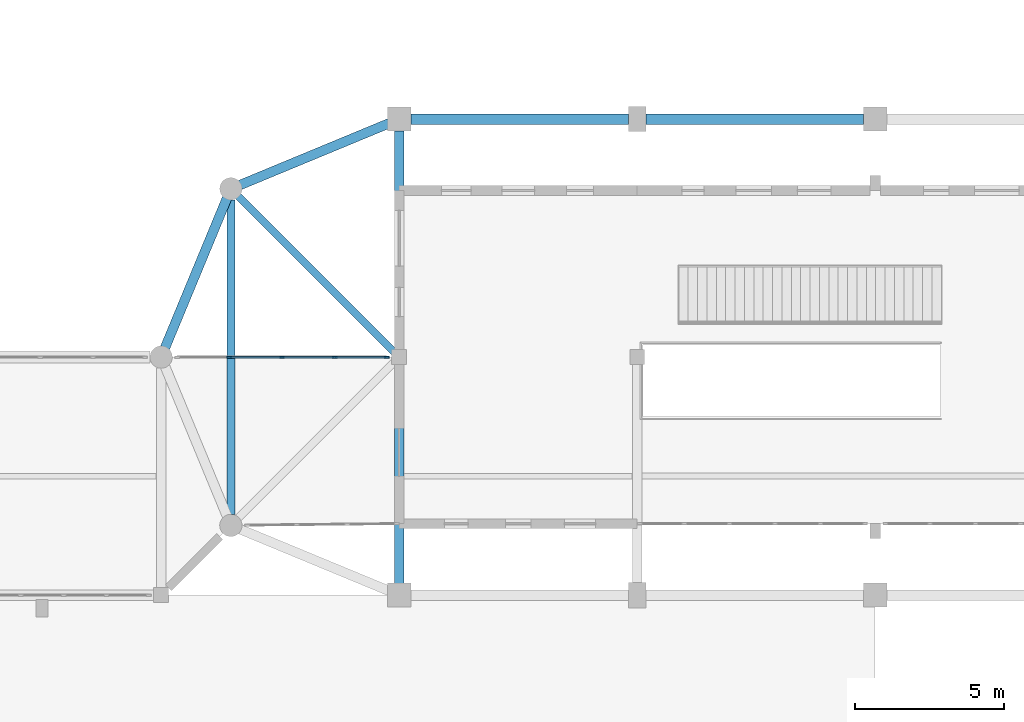
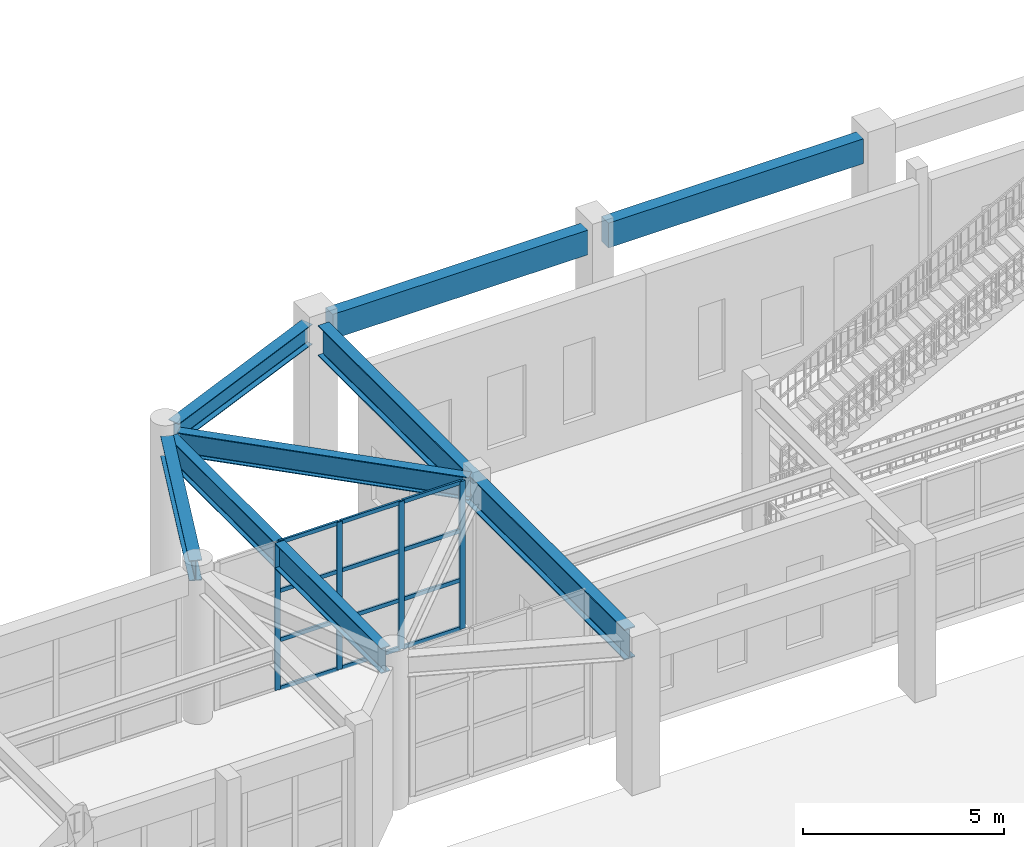
# One storey, part 17 of 59: 16 members, 7 beams, 1 element without a shape of its own.
"""IFC4 building model written with IfcOpenShell, lengths in metres."""

from ifc_helpers import new_model, si_unit, direction, frame, origin, origin_2d, place, context, subcontext, project, spatial, rectangle, i_section, extrude, material, material_profile, profile_set, type_object, element, aggregate, save


model = new_model("IFC4")

# Units and contexts
model_context = context("Model", 3, precision=1e-05, world=origin(), true_north=direction((0.0, 1.0)))
body_context = subcontext(model_context, "Body", "Model", "MODEL_VIEW")
ifc_project = project(units=[si_unit("LENGTHUNIT", "METRE"), si_unit("AREAUNIT", "SQUARE_METRE"), si_unit("VOLUMEUNIT", "CUBIC_METRE"), si_unit("PLANEANGLEUNIT", "RADIAN"), si_unit("MASSUNIT", "GRAM", prefix="KILO")], contexts=[model_context])

# Site, building, storey
site_placement = place(None, origin())
site = spatial("IfcSite", under=ifc_project, at=site_placement, CompositionType="ELEMENT")
building_placement = place(site_placement, origin())
building = spatial("IfcBuilding", under=site, at=building_placement, Name="Serraluz Foothill Cableway Terminal", CompositionType="ELEMENT")
storey_placement = place(building_placement, frame((0.0, 0.0, 4.800048828125)))
storey = spatial("IfcBuildingStorey", under=building, at=storey_placement, Name="L01", CompositionType="ELEMENT", Elevation=4.800048828125)

# Beams
ifc_material_1 = material(Name="Steel ASTM A992 Grade 50", Category="steel")
ifc_material_profile_1 = material_profile(ifc_material_1, i_section(OverallWidth=0.324951171875, OverallDepth=0.615966796875, WebThickness=0.013916015625, FlangeThickness=0.021484375, FilletRadius=0.01806640625, at=origin_2d()), Name="W24X117")
ifc_profile_set_1 = profile_set([ifc_material_profile_1], Name="Steel ASTM A992 Grade 50")
beam_type_1 = type_object("IfcBeamType", Name="TYP-BM-W24X117", PredefinedType="BEAM", material=ifc_profile_set_1)
for number, where, z_axis, x_axis, name in (
    (1, (32.130126953125, 64.314208984375, 4.1669921875), (0.382662116449, 0.923888361565, 0.0), (-0.923888361565, 0.382662116449, 0.0), "Curved End Ring Beam W-L01-3"),
    (2, (34.6572265625, 69.787109375, 4.1669921875), (0.923888361565, 0.382662116449, 0.0), (-0.382662116449, 0.923888361565, 0.0), "Curved End Ring Beam W-L01-4"),
):
    element("IfcBeam", number, at=place(storey_placement, frame(where, z_axis=z_axis, x_axis=x_axis)), inside=storey, type_object=beam_type_1, Name=name, PredefinedType="BEAM", context=body_context, shape_type="SweptSolid", body=[
        extrude(i_section(OverallWidth=0.324951171875, OverallDepth=0.615966796875, WebThickness=0.013916015625, FlangeThickness=0.021484375, FilletRadius=0.01806640625, at=origin_2d()), origin(), (0.0, 0.0, 1.0), 5.44287109375),
    ])
ifc_material_profile_2 = material_profile(ifc_material_1, i_section(OverallWidth=0.256103515625, OverallDepth=0.693115234375, WebThickness=0.014404296875, FlangeThickness=0.023681640625, FilletRadius=0.02001953125, at=origin_2d()), Name="W27X114")
ifc_profile_set_2 = profile_set([ifc_material_profile_2], Name="Steel ASTM A992 Grade 50")
beam_type_2 = type_object("IfcBeamType", Name="TYP-BM-W27X114", PredefinedType="BEAM", material=ifc_profile_set_2)
beam_1_placement = place(storey_placement, frame((39.886962890625, 64.113037109375, 4.12841796875), z_axis=(-0.707106781187, 0.707106781187, 0.0), x_axis=(-0.707106781187, -0.707106781187, 0.0)))
element("IfcBeam", 3, at=beam_1_placement, inside=storey, type_object=beam_type_2, Name="Radial Station Deck Girder W-L01-2", PredefinedType="BEAM", context=body_context, shape_type="SweptSolid", body=[
    extrude(i_section(OverallWidth=0.256103515625, OverallDepth=0.693115234375, WebThickness=0.014404296875, FlangeThickness=0.023681640625, FilletRadius=0.02001953125, at=origin_2d()), origin(), (0.0, 0.0, 1.0), 7.500244140625),
])
ifc_material_profile_3 = material_profile(ifc_material_1, i_section(OverallWidth=0.26806640625, OverallDepth=0.77001953125, WebThickness=0.015625, FlangeThickness=0.025390625, FilletRadius=0.02197265625, at=origin_2d()), Name="W30X132")
ifc_profile_set_3 = profile_set([ifc_material_profile_3], Name="Steel ASTM A992 Grade 50")
beam_type_3 = type_object("IfcBeamType", Name="TYP-BM-W30X132", PredefinedType="BEAM", material=ifc_profile_set_3)
beam_2_placement = place(storey_placement, frame((34.340087890625, 58.7109375, 4.08984375), z_axis=(0.0, 1.0, 0.0), x_axis=(-1.0, 0.0, 0.0)))
element("IfcBeam", 4, at=beam_2_placement, inside=storey, type_object=beam_type_3, Name="Transverse Girder BM-Y-L01-0255", PredefinedType="BEAM", context=body_context, shape_type="SweptSolid", body=[
    extrude(i_section(OverallWidth=0.26806640625, OverallDepth=0.77001953125, WebThickness=0.015625, FlangeThickness=0.025390625, FilletRadius=0.02197265625, at=origin_2d()), origin(), (0.0, 0.0, 1.0), 10.578125),
])
ifc_material_profile_4 = material_profile(ifc_material_1, i_section(OverallWidth=0.30810546875, OverallDepth=0.927001953125, WebThickness=0.019287109375, FlangeThickness=0.031982421875, FilletRadius=0.02587890625, at=origin_2d()), Name="W36X194")
ifc_profile_set_4 = profile_set([ifc_material_profile_4], Name="Steel ASTM A992 Grade 50")
beam_type_4 = type_object("IfcBeamType", Name="TYP-BM-W36X194", PredefinedType="BEAM", material=ifc_profile_set_4)
beam_3_placement = place(storey_placement, frame((40.0, 56.39599609375, 4.011474609375), z_axis=(0.0, 1.0, 0.0), x_axis=(-1.0, 0.0, 0.0)))
element("IfcBeam", 5, at=beam_3_placement, inside=storey, type_object=beam_type_4, Name="Transverse Girder BM-Y-L01-0256", PredefinedType="BEAM", context=body_context, shape_type="SweptSolid", body=[
    extrude(i_section(OverallWidth=0.30810546875, OverallDepth=0.927001953125, WebThickness=0.019287109375, FlangeThickness=0.031982421875, FilletRadius=0.02587890625, at=origin_2d()), origin(), (0.0, 0.0, 1.0), 15.2080078125),
])

# Curtain wall, members
ifc_material_2 = material(Name="Architectural bronze alloy C28000", Category="aluminium")
curtain_wall_type = type_object("IfcCurtainWallType", Name="TYP-CW-710X420", PredefinedType="NOTDEFINED", material=ifc_material_2)
curtain_wall_placement = place(storey_placement, origin())
curtain_wall = element("IfcCurtainWall", 6, at=curtain_wall_placement, inside=storey, type_object=curtain_wall_type, Name="Ribbed Glazed Curtain Wall CW-WLN-L01-32", PredefinedType="NOTDEFINED")
ifc_material_profile_5 = material_profile(ifc_material_2, rectangle(XDim=0.06005859375, YDim=0.159912109375, at=origin_2d()), Name="ALU MULLION 60x160")
ifc_profile_set_5 = profile_set([ifc_material_profile_5], Name="Architectural bronze alloy C28000")
member_type_1 = type_object("IfcMemberType", Name="TYP-CW-MUL-60X160", PredefinedType="MULLION", material=ifc_profile_set_5)
member_1_placement = place(storey_placement, frame((34.288818359375, 64.0, 0.0), z_axis=(0.0, 0.0, 1.0), x_axis=(0.0, 1.0, 0.0)))
member_1 = element("IfcMember", 7, at=member_1_placement, type_object=member_type_1, Name="CW-01 mullion 2", PredefinedType="MULLION", context=body_context, shape_type="SweptSolid", body=[
    extrude(rectangle(XDim=0.06005859375, YDim=0.159912109375, at=origin_2d()), origin(), (0.0, 0.0, 1.0), 4.474853515625),
])
member_2_placement = place(storey_placement, frame((36.0625, 64.0, 0.0), z_axis=(0.0, 0.0, 1.0), x_axis=(0.0, 1.0, 0.0)))
member_2 = element("IfcMember", 8, at=member_2_placement, type_object=member_type_1, Name="CW-01 mullion 3", PredefinedType="MULLION", context=body_context, shape_type="SweptSolid", body=[
    extrude(rectangle(XDim=0.06005859375, YDim=0.159912109375, at=origin_2d()), origin(), (0.0, 0.0, 1.0), 4.474853515625),
])
member_3_placement = place(storey_placement, frame((37.836181640625, 64.0, 0.0), z_axis=(0.0, 0.0, 1.0), x_axis=(0.0, 1.0, 0.0)))
member_3 = element("IfcMember", 9, at=member_3_placement, type_object=member_type_1, Name="CW-01 mullion 4", PredefinedType="MULLION", context=body_context, shape_type="SweptSolid", body=[
    extrude(rectangle(XDim=0.06005859375, YDim=0.159912109375, at=origin_2d()), origin(), (0.0, 0.0, 1.0), 4.474853515625),
])
member_4_placement = place(storey_placement, frame((39.580078125, 64.0, 0.0), z_axis=(0.0, 0.0, 1.0), x_axis=(0.0, 1.0, 0.0)))
member_4 = element("IfcMember", 10, at=member_4_placement, type_object=member_type_1, Name="CW-01 mullion 5", PredefinedType="MULLION", context=body_context, shape_type="SweptSolid", body=[
    extrude(rectangle(XDim=0.06005859375, YDim=0.159912109375, at=origin_2d()), origin(), (0.0, 0.0, 1.0), 4.474853515625),
])
ifc_material_profile_6 = material_profile(ifc_material_2, rectangle(XDim=0.06005859375, YDim=0.1201171875, at=origin_2d()), Name="ALU TRANSOM 60x120")
ifc_profile_set_6 = profile_set([ifc_material_profile_6], Name="Architectural bronze alloy C28000")
member_type_2 = type_object("IfcMemberType", Name="TYP-CW-TRN-60X120", PredefinedType="USERDEFINED", material=ifc_profile_set_6)
member_5_placement = place(storey_placement, frame((34.31884765625, 64.0, 0.030029296875), z_axis=(1.0, 0.0, 0.0), x_axis=(0.0, 1.0, 0.0)))
member_5 = element("IfcMember", 11, at=member_5_placement, type_object=member_type_2, Name="CW-01 transom 2.1", ObjectType="TRANSOM", PredefinedType="USERDEFINED", context=body_context, shape_type="SweptSolid", body=[
    extrude(rectangle(XDim=0.06005859375, YDim=0.1201171875, at=origin_2d()), origin(), (0.0, 0.0, 1.0), 1.713623046875),
])
member_6_placement = place(storey_placement, frame((34.31884765625, 64.0, 1.49169921875), z_axis=(1.0, 0.0, 0.0), x_axis=(0.0, 1.0, 0.0)))
member_6 = element("IfcMember", 12, at=member_6_placement, type_object=member_type_2, Name="CW-01 transom 2.2", ObjectType="TRANSOM", PredefinedType="USERDEFINED", context=body_context, shape_type="SweptSolid", body=[
    extrude(rectangle(XDim=0.06005859375, YDim=0.1201171875, at=origin_2d()), origin(), (0.0, 0.0, 1.0), 1.713623046875),
])
member_7_placement = place(storey_placement, frame((34.31884765625, 64.0, 2.983154296875), z_axis=(1.0, 0.0, 0.0), x_axis=(0.0, 1.0, 0.0)))
member_7 = element("IfcMember", 13, at=member_7_placement, type_object=member_type_2, Name="CW-01 transom 2.3", ObjectType="TRANSOM", PredefinedType="USERDEFINED", context=body_context, shape_type="SweptSolid", body=[
    extrude(rectangle(XDim=0.06005859375, YDim=0.1201171875, at=origin_2d()), origin(), (0.0, 0.0, 1.0), 1.713623046875),
])
member_8_placement = place(storey_placement, frame((34.31884765625, 64.0, 4.445068359375), z_axis=(1.0, 0.0, 0.0), x_axis=(0.0, 1.0, 0.0)))
member_8 = element("IfcMember", 14, at=member_8_placement, type_object=member_type_2, Name="CW-01 transom 2.4", ObjectType="TRANSOM", PredefinedType="USERDEFINED", context=body_context, shape_type="SweptSolid", body=[
    extrude(rectangle(XDim=0.06005859375, YDim=0.1201171875, at=origin_2d()), origin(), (0.0, 0.0, 1.0), 1.713623046875),
])
member_9_placement = place(storey_placement, frame((36.092529296875, 64.0, 0.030029296875), z_axis=(1.0, 0.0, 0.0), x_axis=(0.0, 1.0, 0.0)))
member_9 = element("IfcMember", 15, at=member_9_placement, type_object=member_type_2, Name="CW-01 transom 3.1", ObjectType="TRANSOM", PredefinedType="USERDEFINED", context=body_context, shape_type="SweptSolid", body=[
    extrude(rectangle(XDim=0.06005859375, YDim=0.1201171875, at=origin_2d()), origin(), (0.0, 0.0, 1.0), 1.713623046875),
])
member_10_placement = place(storey_placement, frame((36.092529296875, 64.0, 1.49169921875), z_axis=(1.0, 0.0, 0.0), x_axis=(0.0, 1.0, 0.0)))
member_10 = element("IfcMember", 16, at=member_10_placement, type_object=member_type_2, Name="CW-01 transom 3.2", ObjectType="TRANSOM", PredefinedType="USERDEFINED", context=body_context, shape_type="SweptSolid", body=[
    extrude(rectangle(XDim=0.06005859375, YDim=0.1201171875, at=origin_2d()), origin(), (0.0, 0.0, 1.0), 1.713623046875),
])
member_11_placement = place(storey_placement, frame((36.092529296875, 64.0, 2.983154296875), z_axis=(1.0, 0.0, 0.0), x_axis=(0.0, 1.0, 0.0)))
member_11 = element("IfcMember", 17, at=member_11_placement, type_object=member_type_2, Name="CW-01 transom 3.3", ObjectType="TRANSOM", PredefinedType="USERDEFINED", context=body_context, shape_type="SweptSolid", body=[
    extrude(rectangle(XDim=0.06005859375, YDim=0.1201171875, at=origin_2d()), origin(), (0.0, 0.0, 1.0), 1.713623046875),
])
member_12_placement = place(storey_placement, frame((36.092529296875, 64.0, 4.445068359375), z_axis=(1.0, 0.0, 0.0), x_axis=(0.0, 1.0, 0.0)))
member_12 = element("IfcMember", 18, at=member_12_placement, type_object=member_type_2, Name="CW-01 transom 3.4", ObjectType="TRANSOM", PredefinedType="USERDEFINED", context=body_context, shape_type="SweptSolid", body=[
    extrude(rectangle(XDim=0.06005859375, YDim=0.1201171875, at=origin_2d()), origin(), (0.0, 0.0, 1.0), 1.713623046875),
])
member_13_placement = place(storey_placement, frame((37.8662109375, 64.0, 0.030029296875), z_axis=(1.0, 0.0, 0.0), x_axis=(0.0, 1.0, 0.0)))
member_13 = element("IfcMember", 19, at=member_13_placement, type_object=member_type_2, Name="CW-01 transom 4.1", ObjectType="TRANSOM", PredefinedType="USERDEFINED", context=body_context, shape_type="SweptSolid", body=[
    extrude(rectangle(XDim=0.06005859375, YDim=0.1201171875, at=origin_2d()), origin(), (0.0, 0.0, 1.0), 1.683837890625),
])
member_14_placement = place(storey_placement, frame((37.8662109375, 64.0, 1.49169921875), z_axis=(1.0, 0.0, 0.0), x_axis=(0.0, 1.0, 0.0)))
member_14 = element("IfcMember", 20, at=member_14_placement, type_object=member_type_2, Name="CW-01 transom 4.2", ObjectType="TRANSOM", PredefinedType="USERDEFINED", context=body_context, shape_type="SweptSolid", body=[
    extrude(rectangle(XDim=0.06005859375, YDim=0.1201171875, at=origin_2d()), origin(), (0.0, 0.0, 1.0), 1.683837890625),
])
member_15_placement = place(storey_placement, frame((37.8662109375, 64.0, 2.983154296875), z_axis=(1.0, 0.0, 0.0), x_axis=(0.0, 1.0, 0.0)))
member_15 = element("IfcMember", 21, at=member_15_placement, type_object=member_type_2, Name="CW-01 transom 4.3", ObjectType="TRANSOM", PredefinedType="USERDEFINED", context=body_context, shape_type="SweptSolid", body=[
    extrude(rectangle(XDim=0.06005859375, YDim=0.1201171875, at=origin_2d()), origin(), (0.0, 0.0, 1.0), 1.683837890625),
])
member_16_placement = place(storey_placement, frame((37.8662109375, 64.0, 4.445068359375), z_axis=(1.0, 0.0, 0.0), x_axis=(0.0, 1.0, 0.0)))
member_16 = element("IfcMember", 22, at=member_16_placement, type_object=member_type_2, Name="CW-01 transom 4.4", ObjectType="TRANSOM", PredefinedType="USERDEFINED", context=body_context, shape_type="SweptSolid", body=[
    extrude(rectangle(XDim=0.06005859375, YDim=0.1201171875, at=origin_2d()), origin(), (0.0, 0.0, 1.0), 1.683837890625),
])
aggregate(curtain_wall, [member_1, member_2, member_3, member_4, member_5, member_6, member_7, member_8, member_9, member_10, member_11, member_12, member_13, member_14, member_15, member_16])

# Beams
ifc_material_3 = material(Name="Precast concrete C40/50", Category="concrete")
ifc_material_profile_7 = material_profile(ifc_material_3, rectangle(XDim=0.35009765625, YDim=0.75, at=origin_2d()), Name="RC SP 350x750")
ifc_profile_set_7 = profile_set([ifc_material_profile_7], Name="Precast concrete C40/50")
beam_type_5 = type_object("IfcBeamType", Name="TYP-SP-RC350X750", PredefinedType="SPANDREL", material=ifc_profile_set_7)
for number, where, z_axis, x_axis, name in (
    (23, (40.39599609375, 72.0, 4.099853515625), (1.0, 0.0, 0.0), (0.0, 1.0, 0.0), "Primary Girder BM-X-L01-0219"),
    (24, (48.2958984375, 72.0, 4.099853515625), (1.0, 0.0, 0.0), (0.0, 1.0, 0.0), "Primary Girder BM-X-L01-0220"),
):
    element("IfcBeam", number, at=place(storey_placement, frame(where, z_axis=z_axis, x_axis=x_axis)), inside=storey, type_object=beam_type_5, Name=name, PredefinedType="SPANDREL", context=body_context, shape_type="SweptSolid", body=[
        extrude(rectangle(XDim=0.35009765625, YDim=0.75, at=origin_2d()), origin(), (0.0, 0.0, 1.0), 7.30810546875),
    ])

save(model, "model.ifc")
